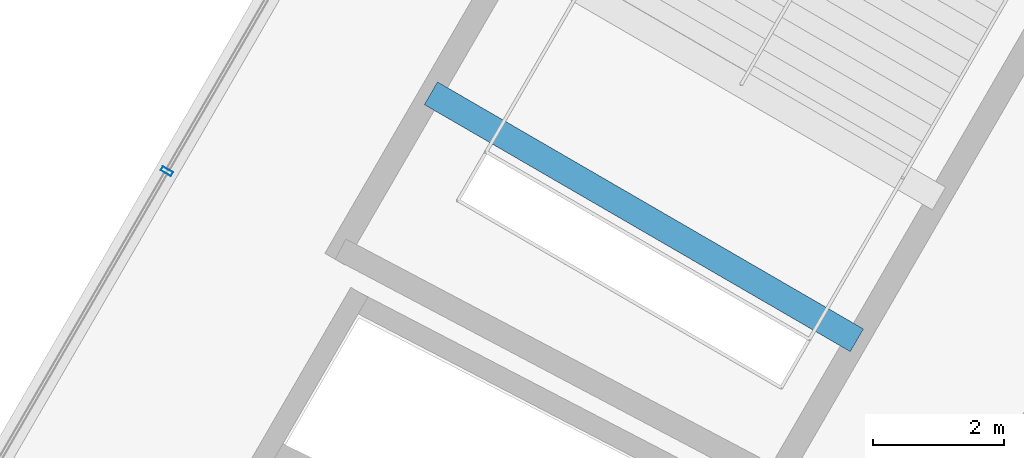
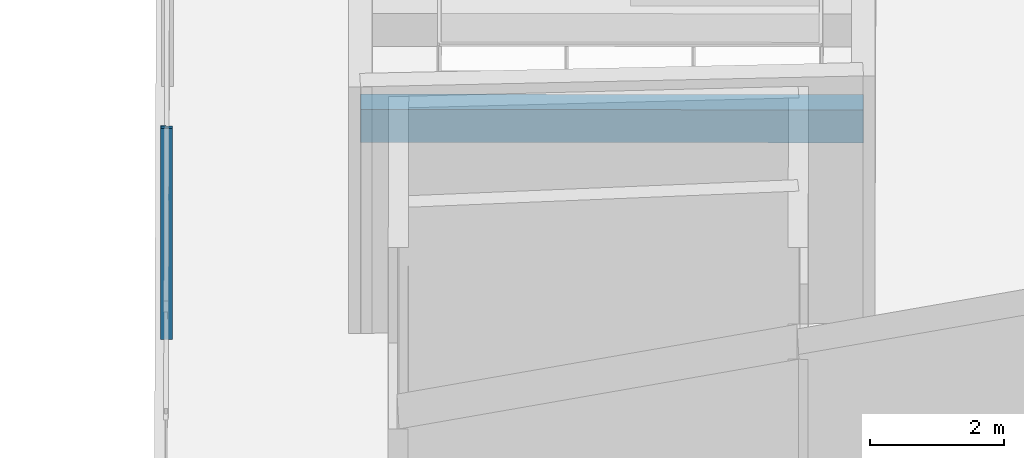
# One storey, part 66 of 156: 1 beam, 1 member, 1 element without a shape of its own.
"""IFC4 building model written with IfcOpenShell, lengths in metres."""

from ifc_helpers import new_model, si_unit, direction, frame, origin, origin_2d, place, context, subcontext, project, spatial, rectangle, hollow_rectangle, extrude, material, layer, layer_set, material_profile, profile_set, type_object, element, aggregate, save


model = new_model("IFC4")

# Units and contexts
model_context = context("Model", 3, precision=1e-05, world=origin(), true_north=direction((0.0, 1.0)))
body_context = subcontext(model_context, "Body", "Model", "MODEL_VIEW")
ifc_project = project(units=[si_unit("LENGTHUNIT", "METRE"), si_unit("AREAUNIT", "SQUARE_METRE"), si_unit("VOLUMEUNIT", "CUBIC_METRE"), si_unit("PLANEANGLEUNIT", "RADIAN"), si_unit("MASSUNIT", "GRAM", prefix="KILO")], contexts=[model_context])

# Site, building, storey
site_placement = place(None, origin())
site = spatial("IfcSite", under=ifc_project, at=site_placement, CompositionType="ELEMENT")
building_placement = place(site_placement, origin())
building = spatial("IfcBuilding", under=site, at=building_placement, Name="Kazemori Nagisa Stadium", CompositionType="ELEMENT")
storey_placement = place(building_placement, frame((0.0, 0.0, 5.780029296875)))
storey = spatial("IfcBuildingStorey", under=building, at=storey_placement, Name="L01", CompositionType="ELEMENT", Elevation=5.780029296875)

# Beam
ifc_material_1 = material(Name="Concrete C40/50 (Fc42)", Category="concrete")
ifc_material_profile_1 = material_profile(ifc_material_1, rectangle(XDim=0.39990234375, YDim=0.60009765625, at=origin_2d()), Name="RC-BM-400x600")
ifc_profile_set_1 = profile_set([ifc_material_profile_1], Name="Concrete C40/50 (Fc42)")
beam_type = type_object("IfcBeamType", Name="Beam_BG-LND400X600", PredefinedType="BEAM", material=ifc_profile_set_1)
beam_placement = place(storey_placement, frame((48.188232421875, 144.27978515625, 1.8798828125), z_axis=(-0.865080539547, 0.50163299343, 0.0), x_axis=(-0.50163299343, -0.865080539547, 0.0)))
element("IfcBeam", 1, at=beam_placement, inside=storey, type_object=beam_type, Name="Core stair mid-landing girder ST08-L01-2", PredefinedType="BEAM", context=body_context, shape_type="SweptSolid", body=[
    extrude(rectangle(XDim=0.39990234375, YDim=0.60009765625, at=origin_2d()), origin(), (0.0, 0.0, 1.0), 7.513916015625),
])

# Curtain wall, member
ifc_material_2 = material(Name="Anodised aluminium 6063-T5", Category="aluminium")
ifc_layer = layer(ifc_material_2, 0.179931640625, Name="Anodised aluminium 6063-T5", Category="aluminium")
ifc_layer_set = layer_set([ifc_layer], Name="Anodised aluminium 6063-T5")
curtain_wall_type = type_object("IfcCurtainWallType", Name="CW_L01R3_99", PredefinedType="USERDEFINED", material=ifc_layer_set)
curtain_wall_placement = place(storey_placement, origin())
curtain_wall = element("IfcCurtainWall", 2, at=curtain_wall_placement, inside=storey, type_object=curtain_wall_type, Name="Unitised curtain wall CW-L01R3-99 L01", ObjectType="UNITISED CURTAIN WALL", PredefinedType="USERDEFINED")
ifc_material_3 = material(Name="Aluminium 6063-T5 anodised", Category="aluminium")
ifc_material_profile_2 = material_profile(ifc_material_3, hollow_rectangle(XDim=0.070068359375, YDim=0.179931640625, WallThickness=0.00390625, at=origin_2d()), Name="ALU-MULL-70x180x4")
ifc_profile_set_2 = profile_set([ifc_material_profile_2], Name="Aluminium 6063-T5 anodised")
member_type = type_object("IfcMemberType", Name="Mullion_M01", PredefinedType="MULLION", material=ifc_profile_set_2)
member_placement = place(storey_placement, frame((37.65771484375, 146.859130859375, 0.0), z_axis=(0.0, 0.0, 1.0), x_axis=(-0.501611590054, -0.865092950337, 0.0)))
member = element("IfcMember", 3, at=member_placement, type_object=member_type, Name="Curtain wall mullion CW-L01R3-99-M3", PredefinedType="MULLION", context=body_context, shape_type="SweptSolid", body=[
    extrude(hollow_rectangle(XDim=0.070068359375, YDim=0.179931640625, WallThickness=0.00390625, at=origin_2d()), origin(), (0.0, 0.0, 1.0), 3.849853515625),
])
aggregate(curtain_wall, [member])

save(model, "model.ifc")
